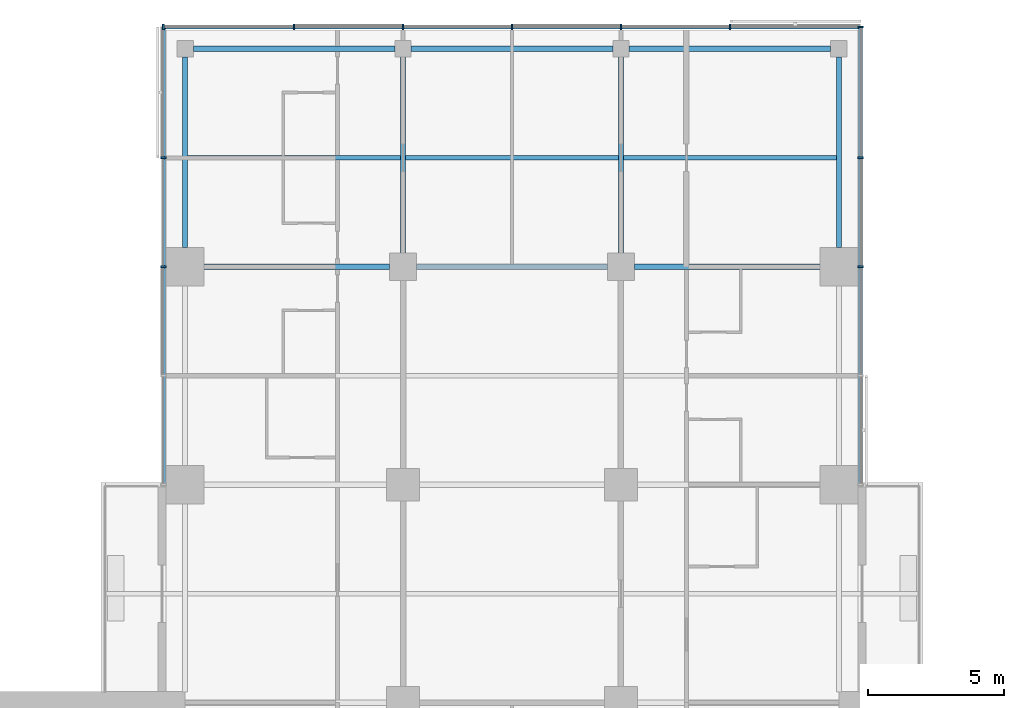
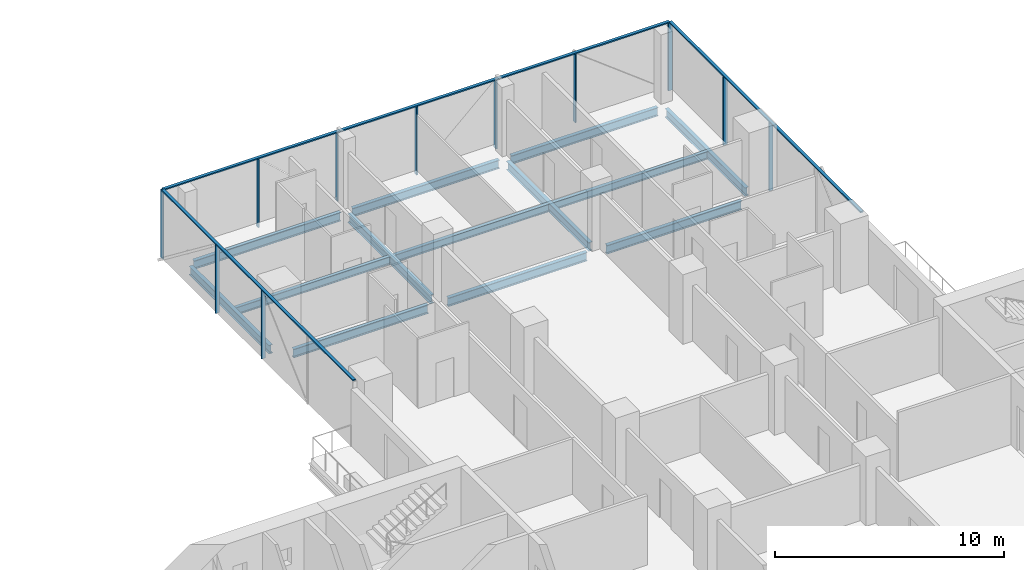
# One storey, part 12 of 27: 14 members, 13 beams, 3 elements without a shape of their own.
"""IFC4 building model written with IfcOpenShell, lengths in metres."""

from ifc_helpers import new_model, si_unit, direction, frame, origin, origin_2d, place, context, subcontext, project, spatial, rectangle, i_section, extrude, material, material_profile, profile_set, type_object, element, aggregate, save


model = new_model("IFC4")

# Units and contexts
model_context = context("Model", 3, precision=1e-05, world=origin(), true_north=direction((0.0, 1.0)))
body_context = subcontext(model_context, "Body", "Model", "MODEL_VIEW")
ifc_project = project(units=[si_unit("LENGTHUNIT", "METRE"), si_unit("AREAUNIT", "SQUARE_METRE"), si_unit("VOLUMEUNIT", "CUBIC_METRE"), si_unit("PLANEANGLEUNIT", "RADIAN"), si_unit("MASSUNIT", "GRAM", prefix="KILO")], contexts=[model_context])

# Site, building, storey
site_placement = place(None, origin())
site = spatial("IfcSite", under=ifc_project, at=site_placement, CompositionType="ELEMENT")
building_placement = place(site_placement, origin())
building = spatial("IfcBuilding", under=site, at=building_placement, Name="Crosswind Convention Tower", CompositionType="ELEMENT")
storey_placement = place(building_placement, frame((0.0, 0.0, 64.60009765625)))
storey = spatial("IfcBuildingStorey", under=building, at=storey_placement, Name="L10", CompositionType="ELEMENT", Elevation=64.60009765625)

# Beams
ifc_material_1 = material(Name="Steel S355", Category="steel")
ifc_material_profile_1 = material_profile(ifc_material_1, i_section(OverallWidth=0.1904296875, OverallDepth=0.457275390625, WebThickness=0.009033203125, FlangeThickness=0.014404296875, FilletRadius=0.01025390625, at=origin_2d()), Name="UB 457x191x75")
ifc_profile_set_1 = profile_set([ifc_material_profile_1], Name="Steel S355")
beam_type_1 = type_object("IfcBeamType", Name="Edge beam UB 457x191x75", PredefinedType="SPANDREL", material=ifc_profile_set_1)
beam_1_placement = place(storey_placement, frame((113.0, 128.699951171875, -0.5087890625), z_axis=(0.0, 1.0, 0.0), x_axis=(-1.0, 0.0, 0.0)))
element("IfcBeam", 1, at=beam_1_placement, inside=storey, type_object=beam_type_1, Name="B17 L10 edge beam 11", PredefinedType="SPANDREL", context=body_context, shape_type="SweptSolid", body=[
    extrude(i_section(OverallWidth=0.1904296875, OverallDepth=0.457275390625, WebThickness=0.009033203125, FlangeThickness=0.014404296875, FilletRadius=0.01025390625, at=origin_2d()), origin(), (0.0, 0.0, 1.0), 7.0),
])
for number, where, z_axis, x_axis, name in (
    (2, (113.300048828125, 136.0, -0.5087890625), (1.0, 0.0, 0.0), (0.0, 1.0, 0.0), "B17 L10 edge beam 13"),
    (3, (121.300048828125, 136.0, -0.5087890625), (1.0, 0.0, 0.0), (0.0, 1.0, 0.0), "B17 L10 edge beam 15"),
    (4, (129.300048828125, 136.0, -0.5087890625), (1.0, 0.0, 0.0), (0.0, 1.0, 0.0), "B17 L10 edge beam 17"),
):
    element("IfcBeam", number, at=place(storey_placement, frame(where, z_axis=z_axis, x_axis=x_axis)), inside=storey, type_object=beam_type_1, Name=name, PredefinedType="SPANDREL", context=body_context, shape_type="SweptSolid", body=[
        extrude(i_section(OverallWidth=0.1904296875, OverallDepth=0.457275390625, WebThickness=0.009033203125, FlangeThickness=0.014404296875, FilletRadius=0.01025390625, at=origin_2d()), origin(), (0.0, 0.0, 1.0), 7.39990234375),
    ])
beam_2_placement = place(storey_placement, frame((137.0, 128.699951171875, -0.5087890625), z_axis=(0.0, 1.0, 0.0), x_axis=(-1.0, 0.0, 0.0)))
element("IfcBeam", 5, at=beam_2_placement, inside=storey, type_object=beam_type_1, Name="B17 L10 edge beam 23", PredefinedType="SPANDREL", context=body_context, shape_type="SweptSolid", body=[
    extrude(i_section(OverallWidth=0.1904296875, OverallDepth=0.457275390625, WebThickness=0.009033203125, FlangeThickness=0.014404296875, FilletRadius=0.01025390625, at=origin_2d()), origin(), (0.0, 0.0, 1.0), 7.0),
])
ifc_material_profile_2 = material_profile(ifc_material_1, i_section(OverallWidth=0.19140625, OverallDepth=0.460205078125, WebThickness=0.010009765625, FlangeThickness=0.01611328125, FilletRadius=0.01025390625, at=origin_2d()), Name="UB 457x191x82")
ifc_profile_set_2 = profile_set([ifc_material_profile_2], Name="Steel S355")
beam_type_2 = type_object("IfcBeamType", Name="Girder UB 457x191x82", PredefinedType="BEAM", material=ifc_profile_set_2)
beam_3_placement = place(storey_placement, frame((113.699951171875, 128.0, -0.51025390625), z_axis=(1.0, 0.0, 0.0), x_axis=(0.0, 1.0, 0.0)))
element("IfcBeam", 6, at=beam_3_placement, inside=storey, type_object=beam_type_2, Name="B3 L10 girder 4", PredefinedType="BEAM", context=body_context, shape_type="SweptSolid", body=[
    extrude(i_section(OverallWidth=0.19140625, OverallDepth=0.460205078125, WebThickness=0.010009765625, FlangeThickness=0.01611328125, FilletRadius=0.01025390625, at=origin_2d()), origin(), (0.0, 0.0, 1.0), 6.800048828125),
])
beam_4_placement = place(storey_placement, frame((121.0, 128.5, -0.51025390625), z_axis=(0.0, 1.0, 0.0), x_axis=(-1.0, 0.0, 0.0)))
element("IfcBeam", 7, at=beam_4_placement, inside=storey, type_object=beam_type_2, Name="B3 L10 girder 13", PredefinedType="BEAM", context=body_context, shape_type="SweptSolid", body=[
    extrude(i_section(OverallWidth=0.19140625, OverallDepth=0.460205078125, WebThickness=0.010009765625, FlangeThickness=0.01611328125, FilletRadius=0.01025390625, at=origin_2d()), origin(), (0.0, 0.0, 1.0), 7.199951171875),
])
beam_5_placement = place(storey_placement, frame((121.5, 128.0, -0.51025390625), z_axis=(1.0, 0.0, 0.0), x_axis=(0.0, 1.0, 0.0)))
element("IfcBeam", 8, at=beam_5_placement, inside=storey, type_object=beam_type_2, Name="B3 L10 girder 15", PredefinedType="BEAM", context=body_context, shape_type="SweptSolid", body=[
    extrude(i_section(OverallWidth=0.19140625, OverallDepth=0.460205078125, WebThickness=0.010009765625, FlangeThickness=0.01611328125, FilletRadius=0.01025390625, at=origin_2d()), origin(), (0.0, 0.0, 1.0), 7.0),
])
beam_6_placement = place(storey_placement, frame((129.0, 128.5, -0.51025390625), z_axis=(0.0, 1.0, 0.0), x_axis=(-1.0, 0.0, 0.0)))
element("IfcBeam", 9, at=beam_6_placement, inside=storey, type_object=beam_type_2, Name="B3 L10 girder 30", PredefinedType="BEAM", context=body_context, shape_type="SweptSolid", body=[
    extrude(i_section(OverallWidth=0.19140625, OverallDepth=0.460205078125, WebThickness=0.010009765625, FlangeThickness=0.01611328125, FilletRadius=0.01025390625, at=origin_2d()), origin(), (0.0, 0.0, 1.0), 7.199951171875),
])
beam_7_placement = place(storey_placement, frame((129.5, 128.0, -0.51025390625), z_axis=(1.0, 0.0, 0.0), x_axis=(0.0, 1.0, 0.0)))
element("IfcBeam", 10, at=beam_7_placement, inside=storey, type_object=beam_type_2, Name="B3 L10 girder 32", PredefinedType="BEAM", context=body_context, shape_type="SweptSolid", body=[
    extrude(i_section(OverallWidth=0.19140625, OverallDepth=0.460205078125, WebThickness=0.010009765625, FlangeThickness=0.01611328125, FilletRadius=0.01025390625, at=origin_2d()), origin(), (0.0, 0.0, 1.0), 6.800048828125),
])

# Curtain wall, members
ifc_material_2 = material(Name="Aluminium unitised curtain wall", Category="aluminium")
curtain_wall_type = type_object("IfcCurtainWallType", Name="HOTEL UNITISED WALL 200", PredefinedType="USERDEFINED", material=ifc_material_2)
curtain_wall_1_placement = place(storey_placement, origin())
curtain_wall_1 = element("IfcCurtainWall", 11, at=curtain_wall_1_placement, inside=storey, type_object=curtain_wall_type, Name="CW2 L10 N-E 1", ObjectType="UNITISED", PredefinedType="USERDEFINED")
ifc_material_3 = material(Name="Aluminium mullion", Category="aluminium")
ifc_material_profile_3 = material_profile(ifc_material_3, rectangle(XDim=0.199951171875, YDim=0.06494140625, at=origin_2d()), Name="AL 200X65")
ifc_profile_set_3 = profile_set([ifc_material_profile_3], Name="Aluminium mullion")
member_type_1 = type_object("IfcMemberType", Name="MULLION 65X200", PredefinedType="MULLION", material=ifc_profile_set_3)
member_1_placement = place(storey_placement, frame((137.800048828125, 128.0, -0.280029296875), z_axis=(0.0, 0.0, 1.0), x_axis=(1.0, 0.0, 0.0)))
member_1 = element("IfcMember", 12, at=member_1_placement, type_object=member_type_1, Name="CW2 mullion 3", PredefinedType="MULLION", context=body_context, shape_type="SweptSolid", body=[
    extrude(rectangle(XDim=0.199951171875, YDim=0.06494140625, at=origin_2d()), origin(), (0.0, 0.0, 1.0), 3.635009765625),
])
member_2_placement = place(storey_placement, frame((137.800048828125, 132.0, -0.280029296875), z_axis=(0.0, 0.0, 1.0), x_axis=(1.0, 0.0, 0.0)))
member_2 = element("IfcMember", 13, at=member_2_placement, type_object=member_type_1, Name="CW2 mullion 4", PredefinedType="MULLION", context=body_context, shape_type="SweptSolid", body=[
    extrude(rectangle(XDim=0.199951171875, YDim=0.06494140625, at=origin_2d()), origin(), (0.0, 0.0, 1.0), 3.635009765625),
])
member_3_placement = place(storey_placement, frame((137.800048828125, 136.800048828125, -0.280029296875), z_axis=(0.0, 0.0, 1.0), x_axis=(1.0, 0.0, 0.0)))
member_3 = element("IfcMember", 14, at=member_3_placement, type_object=member_type_1, Name="CW2 mullion 5", PredefinedType="MULLION", context=body_context, shape_type="SweptSolid", body=[
    extrude(rectangle(XDim=0.199951171875, YDim=0.06494140625, at=origin_2d()), origin(), (0.0, 0.0, 1.0), 3.635009765625),
])

curtain_wall_2_placement = place(storey_placement, origin())
curtain_wall_2 = element("IfcCurtainWall", 15, at=curtain_wall_2_placement, inside=storey, type_object=curtain_wall_type, Name="CW2 L10 N-TIP 1", ObjectType="UNITISED", PredefinedType="USERDEFINED")
member_4_placement = place(storey_placement, frame((133.0, 136.800048828125, -0.280029296875), z_axis=(0.0, 0.0, 1.0), x_axis=(0.0, 1.0, 0.0)))
member_4 = element("IfcMember", 16, at=member_4_placement, type_object=member_type_1, Name="CW2 mullion 2", PredefinedType="MULLION", context=body_context, shape_type="SweptSolid", body=[
    extrude(rectangle(XDim=0.199951171875, YDim=0.06494140625, at=origin_2d()), origin(), (0.0, 0.0, 1.0), 3.635009765625),
])
member_5_placement = place(storey_placement, frame((129.0, 136.800048828125, -0.280029296875), z_axis=(0.0, 0.0, 1.0), x_axis=(0.0, 1.0, 0.0)))
member_5 = element("IfcMember", 17, at=member_5_placement, type_object=member_type_1, Name="CW2 mullion 3", PredefinedType="MULLION", context=body_context, shape_type="SweptSolid", body=[
    extrude(rectangle(XDim=0.199951171875, YDim=0.06494140625, at=origin_2d()), origin(), (0.0, 0.0, 1.0), 3.635009765625),
])
member_6_placement = place(storey_placement, frame((125.0, 136.800048828125, -0.280029296875), z_axis=(0.0, 0.0, 1.0), x_axis=(0.0, 1.0, 0.0)))
member_6 = element("IfcMember", 18, at=member_6_placement, type_object=member_type_1, Name="CW2 mullion 4", PredefinedType="MULLION", context=body_context, shape_type="SweptSolid", body=[
    extrude(rectangle(XDim=0.199951171875, YDim=0.06494140625, at=origin_2d()), origin(), (0.0, 0.0, 1.0), 3.635009765625),
])
member_7_placement = place(storey_placement, frame((121.0, 136.800048828125, -0.280029296875), z_axis=(0.0, 0.0, 1.0), x_axis=(0.0, 1.0, 0.0)))
member_7 = element("IfcMember", 19, at=member_7_placement, type_object=member_type_1, Name="CW2 mullion 5", PredefinedType="MULLION", context=body_context, shape_type="SweptSolid", body=[
    extrude(rectangle(XDim=0.199951171875, YDim=0.06494140625, at=origin_2d()), origin(), (0.0, 0.0, 1.0), 3.635009765625),
])
member_8_placement = place(storey_placement, frame((117.0, 136.800048828125, -0.280029296875), z_axis=(0.0, 0.0, 1.0), x_axis=(0.0, 1.0, 0.0)))
member_8 = element("IfcMember", 20, at=member_8_placement, type_object=member_type_1, Name="CW2 mullion 6", PredefinedType="MULLION", context=body_context, shape_type="SweptSolid", body=[
    extrude(rectangle(XDim=0.199951171875, YDim=0.06494140625, at=origin_2d()), origin(), (0.0, 0.0, 1.0), 3.635009765625),
])
member_9_placement = place(storey_placement, frame((112.199951171875, 136.800048828125, -0.280029296875), z_axis=(0.0, 0.0, 1.0), x_axis=(0.0, 1.0, 0.0)))
member_9 = element("IfcMember", 21, at=member_9_placement, type_object=member_type_1, Name="CW2 mullion 7", PredefinedType="MULLION", context=body_context, shape_type="SweptSolid", body=[
    extrude(rectangle(XDim=0.199951171875, YDim=0.06494140625, at=origin_2d()), origin(), (0.0, 0.0, 1.0), 3.635009765625),
])

curtain_wall_3_placement = place(storey_placement, origin())
curtain_wall_3 = element("IfcCurtainWall", 22, at=curtain_wall_3_placement, inside=storey, type_object=curtain_wall_type, Name="CW2 L10 N-W 1", ObjectType="UNITISED", PredefinedType="USERDEFINED")
member_10_placement = place(storey_placement, frame((112.199951171875, 132.0, -0.280029296875), z_axis=(0.0, 0.0, 1.0), x_axis=(-1.0, 0.0, 0.0)))
member_10 = element("IfcMember", 23, at=member_10_placement, type_object=member_type_1, Name="CW2 mullion 2", PredefinedType="MULLION", context=body_context, shape_type="SweptSolid", body=[
    extrude(rectangle(XDim=0.199951171875, YDim=0.06494140625, at=origin_2d()), origin(), (0.0, 0.0, 1.0), 3.635009765625),
])
member_11_placement = place(storey_placement, frame((112.199951171875, 128.0, -0.280029296875), z_axis=(0.0, 0.0, 1.0), x_axis=(-1.0, 0.0, 0.0)))
member_11 = element("IfcMember", 24, at=member_11_placement, type_object=member_type_1, Name="CW2 mullion 3", PredefinedType="MULLION", context=body_context, shape_type="SweptSolid", body=[
    extrude(rectangle(XDim=0.199951171875, YDim=0.06494140625, at=origin_2d()), origin(), (0.0, 0.0, 1.0), 3.635009765625),
])

# Beams
ifc_material_profile_4 = material_profile(ifc_material_1, i_section(OverallWidth=0.177734375, OverallDepth=0.406494140625, WebThickness=0.0078125, FlangeThickness=0.0126953125, FilletRadius=0.01025390625, at=origin_2d()), Name="UB 406x178x60")
ifc_profile_set_4 = profile_set([ifc_material_profile_4], Name="Steel S355")
beam_type_3 = type_object("IfcBeamType", Name="Secondary beam UB 406x178x60", PredefinedType="JOIST", material=ifc_profile_set_4)
beam_8_placement = place(storey_placement, frame((113.09521484375, 132.0, -0.4833984375), z_axis=(1.0, 0.0, 0.0), x_axis=(0.0, 1.0, 0.0)))
element("IfcBeam", 25, at=beam_8_placement, inside=storey, type_object=beam_type_3, Name="B10 L10 secondary beam 12", PredefinedType="JOIST", context=body_context, shape_type="SweptSolid", body=[
    extrude(i_section(OverallWidth=0.177734375, OverallDepth=0.406494140625, WebThickness=0.0078125, FlangeThickness=0.0126953125, FilletRadius=0.01025390625, at=origin_2d()), origin(), (0.0, 0.0, 1.0), 7.80908203125),
])
beam_9_placement = place(storey_placement, frame((121.095703125, 132.0, -0.4833984375), z_axis=(1.0, 0.0, 0.0), x_axis=(0.0, 1.0, 0.0)))
element("IfcBeam", 26, at=beam_9_placement, inside=storey, type_object=beam_type_3, Name="B10 L10 secondary beam 21", PredefinedType="JOIST", context=body_context, shape_type="SweptSolid", body=[
    extrude(i_section(OverallWidth=0.177734375, OverallDepth=0.406494140625, WebThickness=0.0078125, FlangeThickness=0.0126953125, FilletRadius=0.01025390625, at=origin_2d()), origin(), (0.0, 0.0, 1.0), 7.80859375),
])
beam_10_placement = place(storey_placement, frame((129.095703125, 132.0, -0.4833984375), z_axis=(1.0, 0.0, 0.0), x_axis=(0.0, 1.0, 0.0)))
element("IfcBeam", 27, at=beam_10_placement, inside=storey, type_object=beam_type_3, Name="B10 L10 secondary beam 30", PredefinedType="JOIST", context=body_context, shape_type="SweptSolid", body=[
    extrude(i_section(OverallWidth=0.177734375, OverallDepth=0.406494140625, WebThickness=0.0078125, FlangeThickness=0.0126953125, FilletRadius=0.01025390625, at=origin_2d()), origin(), (0.0, 0.0, 1.0), 7.80908203125),
])

# Member
ifc_material_4 = material(Name="Aluminium transom", Category="aluminium")
ifc_material_profile_5 = material_profile(ifc_material_4, rectangle(XDim=0.14990234375, YDim=0.06494140625, at=origin_2d()), Name="AL 150X65")
ifc_profile_set_5 = profile_set([ifc_material_profile_5], Name="Aluminium transom")
member_type_2 = type_object("IfcMemberType", Name="TRANSOM 65X150", PredefinedType="USERDEFINED", material=ifc_profile_set_5)
member_12_placement = place(storey_placement, frame((137.800048828125, 120.032470703125, 3.387451171875), z_axis=(0.0, 1.0, 0.0), x_axis=(-1.0, 0.0, 0.0)))
member_12 = element("IfcMember", 28, at=member_12_placement, type_object=member_type_2, Name="CW2 transom", ObjectType="TRANSOM", PredefinedType="USERDEFINED", context=body_context, shape_type="SweptSolid", body=[
    extrude(rectangle(XDim=0.14990234375, YDim=0.06494140625, at=origin_2d()), origin(), (0.0, 0.0, 1.0), 16.735107421875),
])

aggregate(curtain_wall_1, [member_1, member_2, member_3, member_12])

member_13_placement = place(storey_placement, frame((137.767578125, 136.800048828125, 3.387451171875), z_axis=(-1.0, 0.0, 0.0), x_axis=(0.0, -1.0, 0.0)))
member_13 = element("IfcMember", 29, at=member_13_placement, type_object=member_type_2, Name="CW2 transom", ObjectType="TRANSOM", PredefinedType="USERDEFINED", context=body_context, shape_type="SweptSolid", body=[
    extrude(rectangle(XDim=0.14990234375, YDim=0.06494140625, at=origin_2d()), origin(), (0.0, 0.0, 1.0), 25.53515625),
])

aggregate(curtain_wall_2, [member_4, member_5, member_6, member_7, member_8, member_9, member_13])

member_14_placement = place(storey_placement, frame((112.199951171875, 136.767578125, 3.387451171875), z_axis=(0.0, -1.0, 0.0), x_axis=(1.0, 0.0, 0.0)))
member_14 = element("IfcMember", 30, at=member_14_placement, type_object=member_type_2, Name="CW2 transom", ObjectType="TRANSOM", PredefinedType="USERDEFINED", context=body_context, shape_type="SweptSolid", body=[
    extrude(rectangle(XDim=0.14990234375, YDim=0.06494140625, at=origin_2d()), origin(), (0.0, 0.0, 1.0), 16.735107421875),
])

aggregate(curtain_wall_3, [member_10, member_11, member_14])

save(model, "model.ifc")
